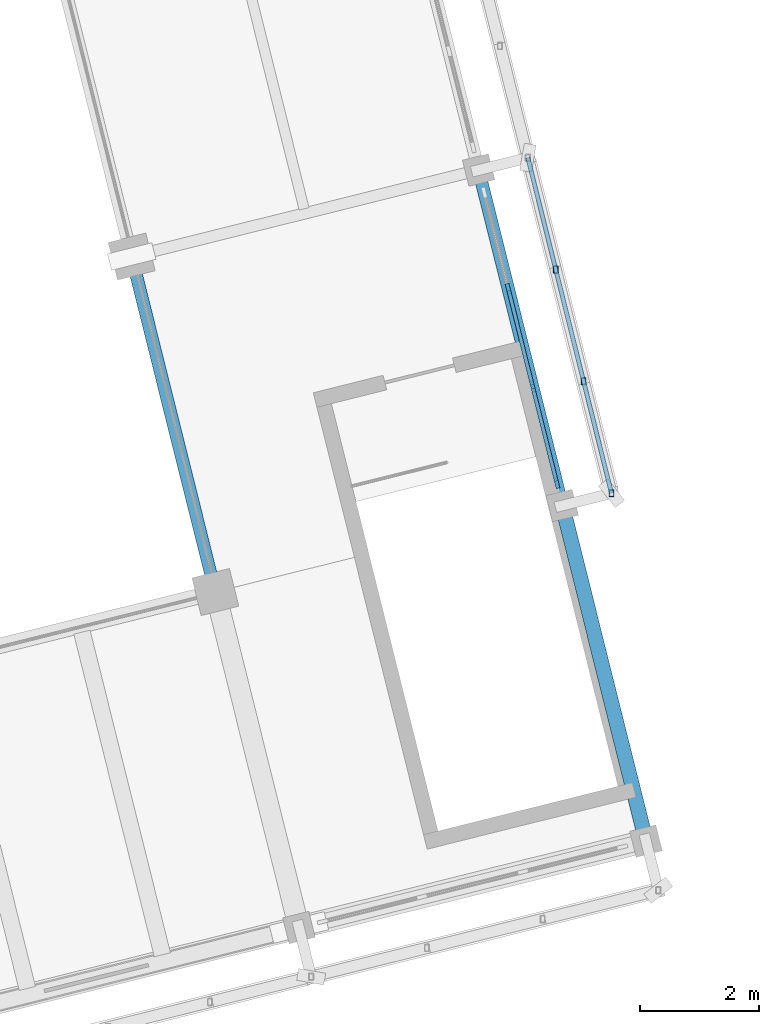
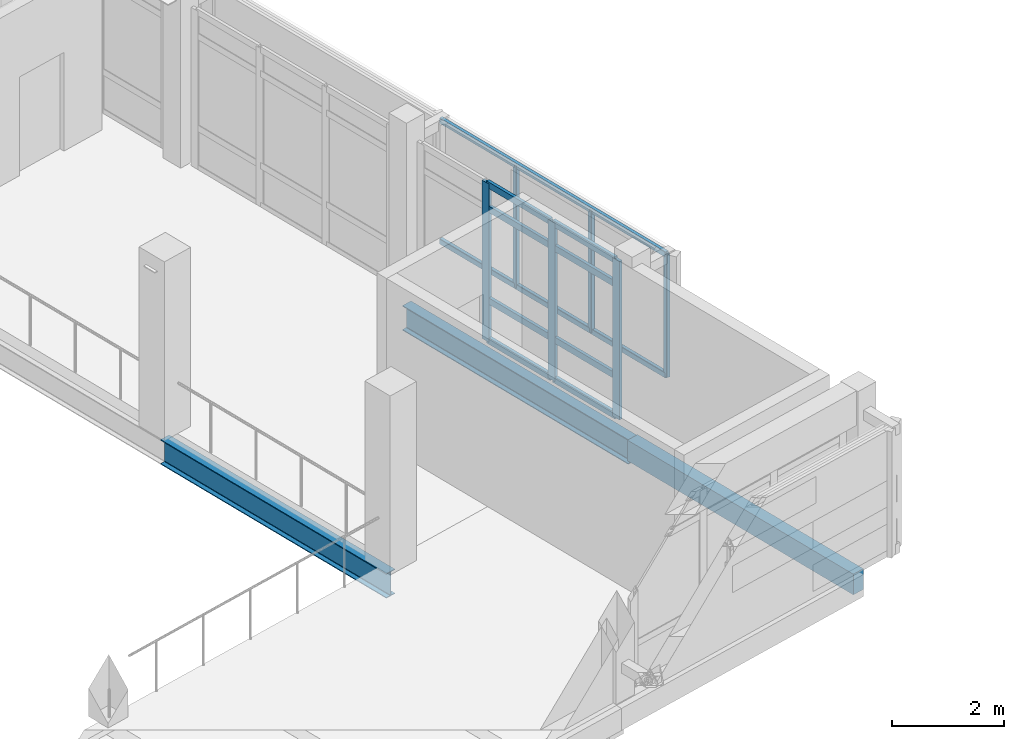
# One storey, part 13 of 117: 16 members, 3 beams, 1 element without a shape of its own.
"""IFC4 building model written with IfcOpenShell, lengths in metres."""

from ifc_helpers import new_model, si_unit, direction, frame, origin, origin_2d, place, context, subcontext, project, spatial, rectangle, hollow_rectangle, i_section, extrude, material, material_profile, profile_set, type_object, element, aggregate, save


model = new_model("IFC4")

# Units and contexts
model_context = context("Model", 3, precision=1e-05, world=origin(), true_north=direction((0.0, 1.0)))
body_context = subcontext(model_context, "Body", "Model", "MODEL_VIEW")
ifc_project = project(units=[si_unit("LENGTHUNIT", "METRE"), si_unit("AREAUNIT", "SQUARE_METRE"), si_unit("VOLUMEUNIT", "CUBIC_METRE"), si_unit("PLANEANGLEUNIT", "RADIAN"), si_unit("MASSUNIT", "GRAM", prefix="KILO")], contexts=[model_context])

# Site, building, storey
site_placement = place(None, origin())
site = spatial("IfcSite", under=ifc_project, at=site_placement, CompositionType="ELEMENT")
building_placement = place(site_placement, origin())
building = spatial("IfcBuilding", under=site, at=building_placement, Name="Cinderway Yard Community Centre", CompositionType="ELEMENT")
storey_placement = place(building_placement, frame((0.0, 0.0, 9.0)))
storey = spatial("IfcBuildingStorey", under=building, at=storey_placement, Name="L02", CompositionType="ELEMENT", Elevation=9.0)

# Curtain wall, members
ifc_material_1 = material(Name="Aluminium 6063-T6", Category="aluminium")
curtain_wall_type = type_object("IfcCurtainWallType", Name="ENV-CW-TYPE-07", PredefinedType="USERDEFINED", material=ifc_material_1)
curtain_wall_placement = place(storey_placement, origin())
curtain_wall = element("IfcCurtainWall", 1, at=curtain_wall_placement, inside=storey, type_object=curtain_wall_type, Name="Main Hall Courtyard Curtain Wall ENV-CW-L02-HS-0020", ObjectType="GLAZED CURTAIN WALL", PredefinedType="USERDEFINED")
ifc_material_profile_1 = material_profile(ifc_material_1, rectangle(XDim=0.06494140625, YDim=0.179931640625, at=origin_2d()), Name="Aluminium 6063-T6")
ifc_profile_set_1 = profile_set([ifc_material_profile_1], Name="Aluminium 6063-T6")
member_type_1 = type_object("IfcMemberType", Name="ENV-CW-MULL-180", PredefinedType="MULLION", material=ifc_profile_set_1)
member_1_placement = place(storey_placement, frame((52.704833984375, 33.72021484375, 0.0), z_axis=(0.0, 0.0, 1.0), x_axis=(-0.97030436752, -0.241887234827, 0.0)))
member_1 = element("IfcMember", 2, at=member_1_placement, type_object=member_type_1, Name="CW-07 mullion 1", PredefinedType="MULLION", context=body_context, shape_type="SweptSolid", body=[
    extrude(rectangle(XDim=0.06494140625, YDim=0.179931640625, at=origin_2d()), origin(), (0.0, 0.0, 1.0), 3.449951171875),
])
member_2_placement = place(storey_placement, frame((52.30224609375, 35.334228515625, 0.0), z_axis=(0.0, 0.0, 1.0), x_axis=(-0.97030436752, -0.241887234827, 0.0)))
member_2 = element("IfcMember", 3, at=member_2_placement, type_object=member_type_1, Name="CW-07 mullion 2", PredefinedType="MULLION", context=body_context, shape_type="SweptSolid", body=[
    extrude(rectangle(XDim=0.06494140625, YDim=0.179931640625, at=origin_2d()), origin(), (0.0, 0.0, 1.0), 3.449951171875),
])
member_3_placement = place(storey_placement, frame((51.892578125, 36.977783203125, 0.0), z_axis=(0.0, 0.0, 1.0), x_axis=(-0.97030436752, -0.241887234827, 0.0)))
member_3 = element("IfcMember", 4, at=member_3_placement, type_object=member_type_1, Name="CW-07 mullion 3", PredefinedType="MULLION", context=body_context, shape_type="SweptSolid", body=[
    extrude(rectangle(XDim=0.06494140625, YDim=0.179931640625, at=origin_2d()), origin(), (0.0, 0.0, 1.0), 3.449951171875),
])
ifc_material_profile_2 = material_profile(ifc_material_1, rectangle(XDim=0.06494140625, YDim=0.139892578125, at=origin_2d()), Name="Aluminium 6063-T6")
ifc_profile_set_2 = profile_set([ifc_material_profile_2], Name="Aluminium 6063-T6")
member_type_2 = type_object("IfcMemberType", Name="ENV-CW-TRAN-140", PredefinedType="USERDEFINED", material=ifc_profile_set_2)
member_4_placement = place(storey_placement, frame((52.697509765625, 33.749267578125, 0.030029296875), z_axis=(-0.241926573916, 0.970294559829, 0.0), x_axis=(-0.970294559829, -0.241926573916, 0.0)))
member_4 = element("IfcMember", 5, at=member_4_placement, type_object=member_type_2, Name="CW-07 transom 1.1", ObjectType="TRANSOM", PredefinedType="USERDEFINED", context=body_context, shape_type="SweptSolid", body=[
    extrude(rectangle(XDim=0.06494140625, YDim=0.139892578125, at=origin_2d()), origin(), (0.0, 0.0, 1.0), 1.603515625),
])
member_5_placement = place(storey_placement, frame((52.697509765625, 33.749267578125, 0.89990234375), z_axis=(-0.241926573916, 0.970294559829, 0.0), x_axis=(-0.970294559829, -0.241926573916, 0.0)))
member_5 = element("IfcMember", 6, at=member_5_placement, type_object=member_type_2, Name="CW-07 transom 1.2", ObjectType="TRANSOM", PredefinedType="USERDEFINED", context=body_context, shape_type="SweptSolid", body=[
    extrude(rectangle(XDim=0.06494140625, YDim=0.139892578125, at=origin_2d()), origin(), (0.0, 0.0, 1.0), 1.603515625),
])
member_6_placement = place(storey_placement, frame((52.697509765625, 33.749267578125, 2.89990234375), z_axis=(-0.241926573916, 0.970294559829, 0.0), x_axis=(-0.970294559829, -0.241926573916, 0.0)))
member_6 = element("IfcMember", 7, at=member_6_placement, type_object=member_type_2, Name="CW-07 transom 1.3", ObjectType="TRANSOM", PredefinedType="USERDEFINED", context=body_context, shape_type="SweptSolid", body=[
    extrude(rectangle(XDim=0.06494140625, YDim=0.139892578125, at=origin_2d()), origin(), (0.0, 0.0, 1.0), 1.603515625),
])
member_7_placement = place(storey_placement, frame((52.697509765625, 33.749267578125, 3.419921875), z_axis=(-0.241926573916, 0.970294559829, 0.0), x_axis=(-0.970294559829, -0.241926573916, 0.0)))
member_7 = element("IfcMember", 8, at=member_7_placement, type_object=member_type_2, Name="CW-07 transom 1.4", ObjectType="TRANSOM", PredefinedType="USERDEFINED", context=body_context, shape_type="SweptSolid", body=[
    extrude(rectangle(XDim=0.06494140625, YDim=0.139892578125, at=origin_2d()), origin(), (0.0, 0.0, 1.0), 1.603515625),
])
member_8_placement = place(storey_placement, frame((52.295166015625, 35.363525390625, 0.030029296875), z_axis=(-0.241972917865, 0.970283003571, 0.0), x_axis=(-0.970283003571, -0.241972917865, 0.0)))
member_8 = element("IfcMember", 9, at=member_8_placement, type_object=member_type_2, Name="CW-07 transom 2.1", ObjectType="TRANSOM", PredefinedType="USERDEFINED", context=body_context, shape_type="SweptSolid", body=[
    extrude(rectangle(XDim=0.06494140625, YDim=0.139892578125, at=origin_2d()), origin(), (0.0, 0.0, 1.0), 1.633544921875),
])
member_9_placement = place(storey_placement, frame((52.295166015625, 35.363525390625, 0.89990234375), z_axis=(-0.241972917865, 0.970283003571, 0.0), x_axis=(-0.970283003571, -0.241972917865, 0.0)))
member_9 = element("IfcMember", 10, at=member_9_placement, type_object=member_type_2, Name="CW-07 transom 2.2", ObjectType="TRANSOM", PredefinedType="USERDEFINED", context=body_context, shape_type="SweptSolid", body=[
    extrude(rectangle(XDim=0.06494140625, YDim=0.139892578125, at=origin_2d()), origin(), (0.0, 0.0, 1.0), 1.633544921875),
])
member_10_placement = place(storey_placement, frame((52.295166015625, 35.363525390625, 2.89990234375), z_axis=(-0.241972917865, 0.970283003571, 0.0), x_axis=(-0.970283003571, -0.241972917865, 0.0)))
member_10 = element("IfcMember", 11, at=member_10_placement, type_object=member_type_2, Name="CW-07 transom 2.3", ObjectType="TRANSOM", PredefinedType="USERDEFINED", context=body_context, shape_type="SweptSolid", body=[
    extrude(rectangle(XDim=0.06494140625, YDim=0.139892578125, at=origin_2d()), origin(), (0.0, 0.0, 1.0), 1.633544921875),
])
member_11_placement = place(storey_placement, frame((52.295166015625, 35.363525390625, 3.419921875), z_axis=(-0.241972917865, 0.970283003571, 0.0), x_axis=(-0.970283003571, -0.241972917865, 0.0)))
member_11 = element("IfcMember", 12, at=member_11_placement, type_object=member_type_2, Name="CW-07 transom 2.4", ObjectType="TRANSOM", PredefinedType="USERDEFINED", context=body_context, shape_type="SweptSolid", body=[
    extrude(rectangle(XDim=0.06494140625, YDim=0.139892578125, at=origin_2d()), origin(), (0.0, 0.0, 1.0), 1.633544921875),
])
aggregate(curtain_wall, [member_1, member_2, member_3, member_4, member_5, member_6, member_7, member_8, member_9, member_10, member_11])

# Members
ifc_material_2 = material(Name="Steel S355", Category="steel")
ifc_material_profile_3 = material_profile(ifc_material_2, hollow_rectangle(XDim=0.080078125, YDim=0.1201171875, WallThickness=0.00634765625, InnerFilletRadius=0.00634765625, OuterFilletRadius=0.0126953125, at=origin_2d()), Name="Steel S355")
ifc_profile_set_3 = profile_set([ifc_material_profile_3], Name="Steel S355")
member_type_3 = type_object("IfcMemberType", Name="ENV-MEM-SCREEN-RAIL-120", PredefinedType="STRINGER", material=ifc_profile_set_3)
for number, where, z_axis, x_axis, name in (
    (13, (53.6240234375, 33.548095703125, 0.7099609375), (-0.2419017199, 0.97030075642, 0.0), (-0.97030075642, -0.2419017199, 0.0), "Screen support rail 0897-BOT"),
    (14, (53.6240234375, 33.548095703125, 3.340087890625), (-0.2419017199, 0.97030075642, 0.0), (-0.97030075642, -0.2419017199, 0.0), "Screen support rail 0898-TOP"),
):
    element("IfcMember", number, at=place(storey_placement, frame(where, z_axis=z_axis, x_axis=x_axis)), inside=storey, type_object=member_type_3, Name=name, PredefinedType="STRINGER", context=body_context, shape_type="SweptSolid", body=[
        extrude(hollow_rectangle(XDim=0.080078125, YDim=0.1201171875, WallThickness=0.00634765625, InnerFilletRadius=0.00634765625, OuterFilletRadius=0.0126953125, at=origin_2d()), origin(), (0.0, 0.0, 1.0), 5.80029296875),
    ])
for number, where, z_axis, x_axis, name in (
    (15, (53.6240234375, 33.548095703125, 0.68994140625), (0.0, 0.0, 1.0), (1.0, 0.0, 0.0), "Screen vertical mullion 0899"),
    (16, (53.156005859375, 35.424072265625, 0.68994140625), (0.0, 0.0, 1.0), (1.0, 0.0, 0.0), "Screen vertical mullion 0900"),
    (17, (52.68896484375, 37.300048828125, 0.68994140625), (0.0, 0.0, 1.0), (1.0, 0.0, 0.0), "Screen vertical mullion 0901"),
):
    element("IfcMember", number, at=place(storey_placement, frame(where, z_axis=z_axis, x_axis=x_axis)), inside=storey, type_object=member_type_3, Name=name, PredefinedType="STRINGER", context=body_context, shape_type="SweptSolid", body=[
        extrude(hollow_rectangle(XDim=0.080078125, YDim=0.1201171875, WallThickness=0.00634765625, InnerFilletRadius=0.00634765625, OuterFilletRadius=0.0126953125, at=origin_2d()), origin(), (0.0, 0.0, 1.0), 2.670166015625),
    ])

# Beams
ifc_material_3 = material(Name="Concrete C40/50", Category="concrete")
ifc_material_profile_4 = material_profile(ifc_material_3, rectangle(XDim=0.25, YDim=0.449951171875, at=origin_2d()), Name="Concrete C40/50")
ifc_profile_set_4 = profile_set([ifc_material_profile_4], Name="Concrete C40/50")
beam_type_1 = type_object("IfcBeamType", Name="STR-BM-RC250X450", PredefinedType="SPANDREL", material=ifc_profile_set_4)
beam_1_placement = place(storey_placement, frame((54.202880859375, 27.714111328125, -0.465087890625), z_axis=(-0.242020600737, 0.970271110989, 0.0), x_axis=(-0.970271110989, -0.242020600737, 0.0)))
element("IfcBeam", 18, at=beam_1_placement, inside=storey, type_object=beam_type_1, Name="Transverse girder STR-BM-L02-SP02-0336", PredefinedType="SPANDREL", context=body_context, shape_type="SweptSolid", body=[
    extrude(rectangle(XDim=0.25, YDim=0.449951171875, at=origin_2d()), origin(), (0.0, 0.0, 1.0), 5.80029296875),
])
ifc_material_profile_5 = material_profile(ifc_material_2, i_section(OverallWidth=0.2109375, OverallDepth=0.5390625, WebThickness=0.010986328125, FlangeThickness=0.017333984375, FilletRadius=0.013916015625, at=origin_2d()), Name="Steel S355")
ifc_profile_set_5 = profile_set([ifc_material_profile_5], Name="Steel S355")
beam_type_2 = type_object("IfcBeamType", Name="STR-BM-W530X109", PredefinedType="BEAM", material=ifc_profile_set_5)
beam_2_placement = place(storey_placement, frame((46.97802734375, 31.89111328125, -0.510009765625), z_axis=(-0.241941244896, 0.97029090175, 0.0), x_axis=(-0.97029090175, -0.241941244896, 0.0)))
element("IfcBeam", 19, at=beam_2_placement, inside=storey, type_object=beam_type_2, Name="Transverse girder STR-BM-L02-SB06-0350", PredefinedType="BEAM", context=body_context, shape_type="SweptSolid", body=[
    extrude(i_section(OverallWidth=0.2109375, OverallDepth=0.5390625, WebThickness=0.010986328125, FlangeThickness=0.017333984375, FilletRadius=0.013916015625, at=origin_2d()), origin(), (0.0, 0.0, 1.0), 5.79931640625),
])
beam_3_placement = place(storey_placement, frame((52.799072265625, 33.342041015625, -0.510009765625), z_axis=(-0.2419017199, 0.97030075642, 0.0), x_axis=(-0.97030075642, -0.2419017199, 0.0)))
element("IfcBeam", 20, at=beam_3_placement, inside=storey, type_object=beam_type_2, Name="Transverse girder STR-BM-L02-SB06-0357", PredefinedType="BEAM", context=body_context, shape_type="SweptSolid", body=[
    extrude(i_section(OverallWidth=0.2109375, OverallDepth=0.5390625, WebThickness=0.010986328125, FlangeThickness=0.017333984375, FilletRadius=0.013916015625, at=origin_2d()), origin(), (0.0, 0.0, 1.0), 5.80029296875),
])

save(model, "model.ifc")
